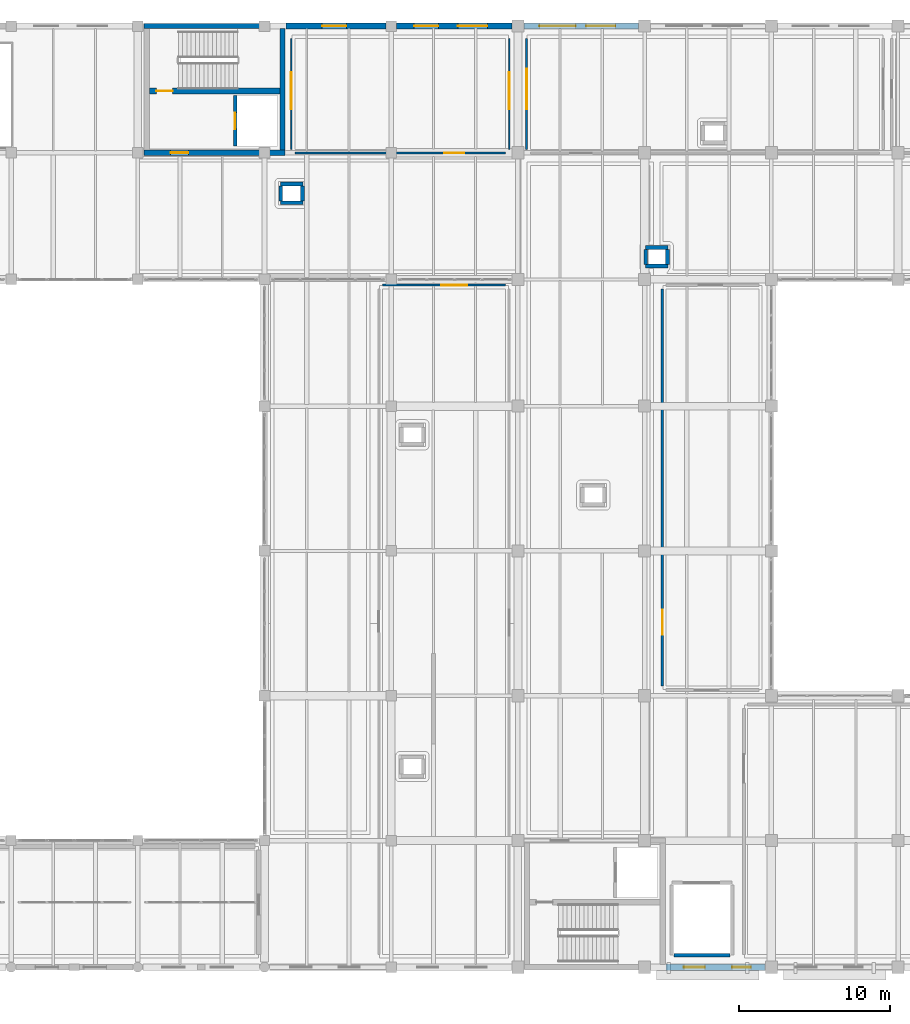
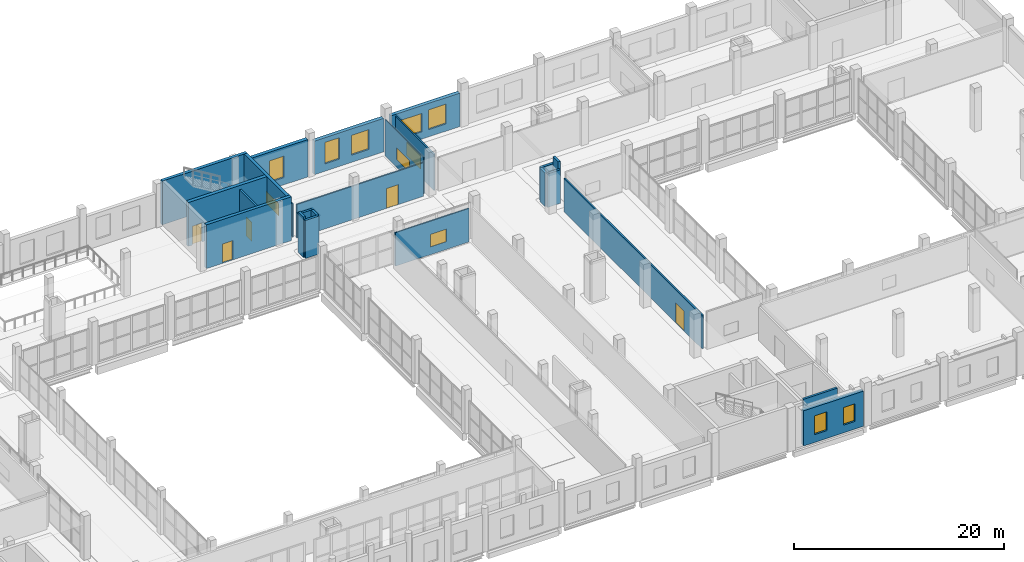
# One storey, part 59 of 73: 24 walls, 11 windows, 5 doors, 16 openings.
"""IFC4 building model written with IfcOpenShell, lengths in metres."""

from ifc_helpers import new_model, si_unit, direction, frame, frame_2d, origin, place, context, subcontext, project, spatial, rectangle, extrude, material, layer, layer_set, type_object, element, fill, save


model = new_model("IFC4")

# Units and contexts
model_context = context("Model", 3, precision=1e-05, world=origin(), true_north=direction((0.0, 1.0)))
body_context = subcontext(model_context, "Body", "Model", "MODEL_VIEW")
ifc_project = project(units=[si_unit("LENGTHUNIT", "METRE"), si_unit("AREAUNIT", "SQUARE_METRE"), si_unit("VOLUMEUNIT", "CUBIC_METRE"), si_unit("PLANEANGLEUNIT", "RADIAN"), si_unit("MASSUNIT", "GRAM", prefix="KILO")], contexts=[model_context])

# Site, building, storey
site_placement = place(None, origin())
site = spatial("IfcSite", under=ifc_project, at=site_placement, CompositionType="ELEMENT")
building_placement = place(site_placement, origin())
building = spatial("IfcBuilding", under=site, at=building_placement, Name="Zulmaris Art Gallery", CompositionType="ELEMENT")
storey_placement = place(building_placement, frame((0.0, 0.0, 10.5)))
storey = spatial("IfcBuildingStorey", under=building, at=storey_placement, Name="L02", CompositionType="ELEMENT", Elevation=10.5)

# Wall, openings, windows
ifc_material_1 = material(Name="Omani Cream Limestone Ashlar Masonry", Category="masonry")
ifc_layer_1 = layer(ifc_material_1, 0.43994140625)
ifc_layer_set_1 = layer_set([ifc_layer_1], Name="Omani Cream Limestone Ashlar Masonry")
wall_type_1 = type_object("IfcWallType", Name="ENV-WALL-EW01", PredefinedType="SOLIDWALL", material=ifc_layer_set_1)
wall_1_placement = place(storey_placement, frame((151.412109375, 13.199951171875, 0.0), z_axis=(0.0, 0.0, 1.0), x_axis=(1.0, 0.0, 0.0)))
wall_1 = element("IfcWall", 1, at=wall_1_placement, inside=storey, type_object=wall_type_1, Name="L02 V5 South Facade Bay 1", PredefinedType="SOLIDWALL", context=body_context, shape_type="SweptSolid", body=[
    extrude(rectangle(XDim=6.5859375, YDim=0.43994140625, at=frame_2d((3.29296875, 0.0))), origin(), (0.0, 0.0, 1.0), 4.10009765625),
])
opening_1_placement = place(wall_1_placement, frame((1.18798828125, 0.0, 0.89990234375)))
opening_1 = element("IfcOpeningElement", 2, at=opening_1_placement, cuts=wall_1, Name="Opening W04", PredefinedType="OPENING", context=body_context, shape_type="SweptSolid", body=[
    extrude(rectangle(XDim=1.39990234375, YDim=2.199951171875, at=frame_2d((0.699951171875, 1.10009765625))), frame((0.0, 0.22998046875, 0.0), z_axis=(0.0, -1.0, 0.0), x_axis=(1.0, 0.0, 0.0)), (0.0, 0.0, 1.0), 0.4599609375),
])
opening_2_placement = place(wall_1_placement, frame((4.387939453125, 0.0, 0.89990234375)))
opening_2 = element("IfcOpeningElement", 3, at=opening_2_placement, cuts=wall_1, Name="Opening W10", PredefinedType="OPENING", context=body_context, shape_type="SweptSolid", body=[
    extrude(rectangle(XDim=1.25, YDim=2.050048828125, at=frame_2d((0.625, 1.02490234375))), frame((0.0, 0.22998046875, 0.0), z_axis=(0.0, -1.0, 0.0), x_axis=(1.0, 0.0, 0.0)), (0.0, 0.0, 1.0), 0.4599609375),
])
ifc_material_2 = material(Name="Deep-Reveal Limestone Slot Window", Category="masonry")
window_type_1 = type_object("IfcWindowType", Name="WIN-W04", PartitioningType="SINGLE_PANEL", PredefinedType="WINDOW", material=ifc_material_2)
window_1_placement = place(opening_1_placement, origin())
window_1 = element("IfcWindow", 4, at=window_1_placement, inside=storey, type_object=window_type_1, Name="L02 exterior window W04", OverallHeight=2.199951171875, OverallWidth=1.39990234375, PartitioningType="SINGLE_PANEL", PredefinedType="WINDOW", context=body_context, shape_type="SweptSolid", body=[
    extrude(rectangle(XDim=1.39990234375, YDim=2.199951171875, at=frame_2d((0.699951171875, 1.10009765625))), frame((0.0, 0.030029296875, 0.0), z_axis=(0.0, -1.0, 0.0), x_axis=(1.0, 0.0, 0.0)), (0.0, 0.0, 1.0), 0.06005859375),
])
fill(opening_1, window_1)
ifc_material_3 = material(Name="Limestone Deep-Set Lancet Window", Category="masonry")
window_type_2 = type_object("IfcWindowType", Name="WIN-W10", PartitioningType="SINGLE_PANEL", PredefinedType="WINDOW", material=ifc_material_3)
window_2_placement = place(opening_2_placement, origin())
window_2 = element("IfcWindow", 5, at=window_2_placement, inside=storey, type_object=window_type_2, Name="L02 exterior window W10", OverallHeight=2.050048828125, OverallWidth=1.25, PartitioningType="SINGLE_PANEL", PredefinedType="WINDOW", context=body_context, shape_type="SweptSolid", body=[
    extrude(rectangle(XDim=1.25, YDim=2.050048828125, at=frame_2d((0.625, 1.02490234375))), frame((0.0, 0.030029296875, 0.0), z_axis=(0.0, -1.0, 0.0), x_axis=(1.0, 0.0, 0.0)), (0.0, 0.0, 1.0), 0.06005859375),
])
fill(opening_2, window_2)

# Wall, opening, window
ifc_material_4 = material(Name="Omani Desert Rose Limestone Cladding Wall", Category="masonry")
ifc_layer_2 = layer(ifc_material_4, 0.389892578125)
ifc_layer_set_2 = layer_set([ifc_layer_2], Name="Omani Desert Rose Limestone Cladding Wall")
wall_type_2 = type_object("IfcWallType", Name="ENV-WALL-EW02", PredefinedType="SOLIDWALL", material=ifc_layer_set_2)
wall_2_placement = place(storey_placement, frame((126.2119140625, 75.60009765625, 0.0), z_axis=(0.0, 0.0, 1.0), x_axis=(1.0, 0.0, 0.0)))
wall_2 = element("IfcWall", 6, at=wall_2_placement, inside=storey, type_object=wall_type_2, Name="L02 V4 North Alley Limestone Facade (126.0..133.2)", PredefinedType="SOLIDWALL", context=body_context, shape_type="SweptSolid", body=[
    extrude(rectangle(XDim=6.635986328125, YDim=0.389892578125, at=frame_2d((3.31787109375, 0.0))), origin(), (0.0, 0.0, 1.0), 4.35009765625),
])
opening_3_placement = place(wall_2_placement, frame((2.407958984375, 0.0, 0.85009765625)))
opening_3 = element("IfcOpeningElement", 7, at=opening_3_placement, cuts=wall_2, Name="Opening W01", PredefinedType="OPENING", context=body_context, shape_type="SweptSolid", body=[
    extrude(rectangle(XDim=1.60009765625, YDim=2.5, at=frame_2d((0.800048828125, 1.25))), frame((0.0, 0.204833984375, 0.0), z_axis=(0.0, -1.0, 0.0), x_axis=(1.0, 0.0, 0.0)), (0.0, 0.0, 1.0), 0.409912109375),
])
ifc_material_5 = material(Name="Double-Glazed Solar-Control Low-E Window", Category="glass")
window_type_3 = type_object("IfcWindowType", Name="WIN-W01", PartitioningType="SINGLE_PANEL", PredefinedType="WINDOW", material=ifc_material_5)
window_3_placement = place(opening_3_placement, origin())
window_3 = element("IfcWindow", 8, at=window_3_placement, inside=storey, type_object=window_type_3, Name="L02 exterior window W01", OverallHeight=2.5, OverallWidth=1.60009765625, PartitioningType="SINGLE_PANEL", PredefinedType="WINDOW", context=body_context, shape_type="SweptSolid", body=[
    extrude(rectangle(XDim=1.60009765625, YDim=2.5, at=frame_2d((0.800048828125, 1.25))), frame((0.0, 0.030029296875, 0.0), z_axis=(0.0, -1.0, 0.0), x_axis=(1.0, 0.0, 0.0)), (0.0, 0.0, 1.0), 0.06005859375),
])
fill(opening_3, window_3)

# Wall, openings, windows
wall_3_placement = place(storey_placement, frame((133.552001953125, 75.60009765625, 0.0), z_axis=(0.0, 0.0, 1.0), x_axis=(1.0, 0.0, 0.0)))
wall_3 = element("IfcWall", 9, at=wall_3_placement, inside=storey, type_object=wall_type_2, Name="L02 V4 North Alley Limestone Facade (133.2..141.6)", PredefinedType="SOLIDWALL", context=body_context, shape_type="SweptSolid", body=[
    extrude(rectangle(XDim=7.64599609375, YDim=0.389892578125, at=frame_2d((3.822998046875, 0.0))), origin(), (0.0, 0.0, 1.0), 3.89990234375),
])
opening_4_placement = place(wall_3_placement, frame((1.16796875, 0.0, 0.85009765625)))
opening_4 = element("IfcOpeningElement", 10, at=opening_4_placement, cuts=wall_3, Name="Opening W01", PredefinedType="OPENING", context=body_context, shape_type="SweptSolid", body=[
    extrude(rectangle(XDim=1.60009765625, YDim=2.5, at=frame_2d((0.800048828125, 1.25))), frame((0.0, 0.204833984375, 0.0), z_axis=(0.0, -1.0, 0.0), x_axis=(1.0, 0.0, 0.0)), (0.0, 0.0, 1.0), 0.409912109375),
])
opening_5_placement = place(wall_3_placement, frame((4.068115234375, 0.0, 0.85009765625)))
opening_5 = element("IfcOpeningElement", 11, at=opening_5_placement, cuts=wall_3, Name="Opening W08", PredefinedType="OPENING", context=body_context, shape_type="SweptSolid", body=[
    extrude(rectangle(XDim=1.949951171875, YDim=2.300048828125, at=frame_2d((0.97509765625, 1.14990234375))), frame((0.0, 0.204833984375, 0.0), z_axis=(0.0, -1.0, 0.0), x_axis=(1.0, 0.0, 0.0)), (0.0, 0.0, 1.0), 0.409912109375),
])
window_4_placement = place(opening_4_placement, origin())
window_4 = element("IfcWindow", 12, at=window_4_placement, inside=storey, type_object=window_type_3, Name="L02 exterior window W01", OverallHeight=2.5, OverallWidth=1.60009765625, PartitioningType="SINGLE_PANEL", PredefinedType="WINDOW", context=body_context, shape_type="SweptSolid", body=[
    extrude(rectangle(XDim=1.60009765625, YDim=2.5, at=frame_2d((0.800048828125, 1.25))), frame((0.0, 0.030029296875, 0.0), z_axis=(0.0, -1.0, 0.0), x_axis=(1.0, 0.0, 0.0)), (0.0, 0.0, 1.0), 0.06005859375),
])
fill(opening_4, window_4)
ifc_material_6 = material(Name="Curatorial North Studio Window", Category="glass")
window_type_4 = type_object("IfcWindowType", Name="WIN-W08", PartitioningType="SINGLE_PANEL", PredefinedType="WINDOW", material=ifc_material_6)
window_5_placement = place(opening_5_placement, origin())
window_5 = element("IfcWindow", 13, at=window_5_placement, inside=storey, type_object=window_type_4, Name="L02 exterior window W08", OverallHeight=2.300048828125, OverallWidth=1.949951171875, PartitioningType="SINGLE_PANEL", PredefinedType="WINDOW", context=body_context, shape_type="SweptSolid", body=[
    extrude(rectangle(XDim=1.949951171875, YDim=2.300048828125, at=frame_2d((0.97509765625, 1.14990234375))), frame((0.0, 0.030029296875, 0.0), z_axis=(0.0, -1.0, 0.0), x_axis=(1.0, 0.0, 0.0)), (0.0, 0.0, 1.0), 0.06005859375),
])
fill(opening_5, window_5)

wall_4_placement = place(storey_placement, frame((142.001953125, 75.60009765625, 0.0), z_axis=(0.0, 0.0, 1.0), x_axis=(1.0, 0.0, 0.0)))
wall_4 = element("IfcWall", 14, at=wall_4_placement, inside=storey, type_object=wall_type_2, Name="L02 V5 North Studio Daylight Facade Bay 1", PredefinedType="SOLIDWALL", context=body_context, shape_type="SweptSolid", body=[
    extrude(rectangle(XDim=7.595947265625, YDim=0.389892578125, at=frame_2d((3.7978515625, 0.0))), origin(), (0.0, 0.0, 1.0), 3.89990234375),
])
opening_6_placement = place(wall_4_placement, frame((1.01806640625, 0.0, 0.85009765625)))
opening_6 = element("IfcOpeningElement", 15, at=opening_6_placement, cuts=wall_4, Name="Opening W05", PredefinedType="OPENING", context=body_context, shape_type="SweptSolid", body=[
    extrude(rectangle(XDim=2.39990234375, YDim=2.14990234375, at=frame_2d((1.199951171875, 1.074951171875))), frame((0.0, 0.204833984375, 0.0), z_axis=(0.0, -1.0, 0.0), x_axis=(1.0, 0.0, 0.0)), (0.0, 0.0, 1.0), 0.409912109375),
])
opening_7_placement = place(wall_4_placement, frame((4.117919921875, 0.0, 0.85009765625)))
opening_7 = element("IfcOpeningElement", 16, at=opening_7_placement, cuts=wall_4, Name="Opening W08", PredefinedType="OPENING", context=body_context, shape_type="SweptSolid", body=[
    extrude(rectangle(XDim=1.949951171875, YDim=2.300048828125, at=frame_2d((0.97509765625, 1.14990234375))), frame((0.0, 0.204833984375, 0.0), z_axis=(0.0, -1.0, 0.0), x_axis=(1.0, 0.0, 0.0)), (0.0, 0.0, 1.0), 0.409912109375),
])
ifc_material_7 = material(Name="North-Facing Conservation Daylight Window", Category="glass")
window_type_5 = type_object("IfcWindowType", Name="WIN-W05", PartitioningType="SINGLE_PANEL", PredefinedType="WINDOW", material=ifc_material_7)
window_6_placement = place(opening_6_placement, origin())
window_6 = element("IfcWindow", 17, at=window_6_placement, inside=storey, type_object=window_type_5, Name="L02 exterior window W05", OverallHeight=2.14990234375, OverallWidth=2.39990234375, PartitioningType="SINGLE_PANEL", PredefinedType="WINDOW", context=body_context, shape_type="SweptSolid", body=[
    extrude(rectangle(XDim=2.39990234375, YDim=2.14990234375, at=frame_2d((1.199951171875, 1.074951171875))), frame((0.0, 0.030029296875, 0.0), z_axis=(0.0, -1.0, 0.0), x_axis=(1.0, 0.0, 0.0)), (0.0, 0.0, 1.0), 0.06005859375),
])
fill(opening_6, window_6)
window_7_placement = place(opening_7_placement, origin())
window_7 = element("IfcWindow", 18, at=window_7_placement, inside=storey, type_object=window_type_4, Name="L02 exterior window W08", OverallHeight=2.300048828125, OverallWidth=1.949951171875, PartitioningType="SINGLE_PANEL", PredefinedType="WINDOW", context=body_context, shape_type="SweptSolid", body=[
    extrude(rectangle(XDim=1.949951171875, YDim=2.300048828125, at=frame_2d((0.97509765625, 1.14990234375))), frame((0.0, 0.030029296875, 0.0), z_axis=(0.0, -1.0, 0.0), x_axis=(1.0, 0.0, 0.0)), (0.0, 0.0, 1.0), 0.06005859375),
])
fill(opening_7, window_7)

# Wall, opening, window
ifc_material_8 = material(Name="Acoustic Office Gypsum Partition", Category="gypsum")
ifc_layer_3 = layer(ifc_material_8, 0.10009765625)
ifc_layer_set_3 = layer_set([ifc_layer_3], Name="Acoustic Office Gypsum Partition")
wall_type_3 = type_object("IfcWallType", Name="IWALL-PW01", PredefinedType="PARTITIONING", material=ifc_layer_set_3)
wall_5_placement = place(storey_placement, frame((126.580078125, 67.429931640625, 0.0), z_axis=(0.0, 0.0, 1.0), x_axis=(0.0, 1.0, 0.0)))
wall_5 = element("IfcWall", 19, at=wall_5_placement, inside=storey, type_object=wall_type_3, Name="Geometric Abstraction Gallery W partition", PredefinedType="PARTITIONING", context=body_context, shape_type="SweptSolid", body=[
    extrude(rectangle(XDim=7.340087890625, YDim=0.10009765625, at=frame_2d((3.669921875, 0.0))), origin(), (0.0, 0.0, 1.0), 3.89990234375),
])
opening_8_placement = place(wall_5_placement, frame((2.64990234375, 0.0, 0.89990234375)))
opening_8 = element("IfcOpeningElement", 20, at=opening_8_placement, cuts=wall_5, Name="Opening IW05", PredefinedType="OPENING", context=body_context, shape_type="SweptSolid", body=[
    extrude(rectangle(XDim=2.4599609375, YDim=1.3798828125, at=frame_2d((1.22998046875, 0.68994140625))), frame((0.0, 0.06005859375, 0.0), z_axis=(0.0, -1.0, 0.0), x_axis=(1.0, 0.0, 0.0)), (0.0, 0.0, 1.0), 0.1201171875),
])
ifc_material_9 = material(Name="Workshop Safety Observation Window", Category="glass")
window_type_6 = type_object("IfcWindowType", Name="IWIN-IW05", PartitioningType="SINGLE_PANEL", PredefinedType="WINDOW", material=ifc_material_9)
window_8_placement = place(opening_8_placement, origin())
window_8 = element("IfcWindow", 21, at=window_8_placement, inside=storey, type_object=window_type_6, Name="L02 interior observation window IW05", OverallHeight=1.3798828125, OverallWidth=2.4599609375, PartitioningType="SINGLE_PANEL", PredefinedType="WINDOW", context=body_context, shape_type="SweptSolid", body=[
    extrude(rectangle(XDim=2.4599609375, YDim=1.3798828125, at=frame_2d((1.22998046875, 0.68994140625))), frame((0.0, 0.030029296875, 0.0), z_axis=(0.0, -1.0, 0.0), x_axis=(1.0, 0.0, 0.0)), (0.0, 0.0, 1.0), 0.06005859375),
])
fill(opening_8, window_8)

wall_6_placement = place(storey_placement, frame((141.02001953125, 67.429931640625, 0.0), z_axis=(0.0, 0.0, 1.0), x_axis=(0.0, 1.0, 0.0)))
wall_6 = element("IfcWall", 22, at=wall_6_placement, inside=storey, type_object=wall_type_3, Name="Geometric Abstraction Gallery E partition", PredefinedType="PARTITIONING", context=body_context, shape_type="SweptSolid", body=[
    extrude(rectangle(XDim=7.340087890625, YDim=0.10009765625, at=frame_2d((3.669921875, 0.0))), origin(), (0.0, 0.0, 1.0), 4.22998046875),
])
opening_9_placement = place(wall_6_placement, frame((2.64990234375, 0.0, 0.89990234375)))
opening_9 = element("IfcOpeningElement", 23, at=opening_9_placement, cuts=wall_6, Name="Opening IW05", PredefinedType="OPENING", context=body_context, shape_type="SweptSolid", body=[
    extrude(rectangle(XDim=2.4599609375, YDim=1.3798828125, at=frame_2d((1.22998046875, 0.68994140625))), frame((0.0, 0.06005859375, 0.0), z_axis=(0.0, -1.0, 0.0), x_axis=(1.0, 0.0, 0.0)), (0.0, 0.0, 1.0), 0.1201171875),
])
window_9_placement = place(opening_9_placement, origin())
window_9 = element("IfcWindow", 24, at=window_9_placement, inside=storey, type_object=window_type_6, Name="L02 interior observation window IW05", OverallHeight=1.3798828125, OverallWidth=2.4599609375, PartitioningType="SINGLE_PANEL", PredefinedType="WINDOW", context=body_context, shape_type="SweptSolid", body=[
    extrude(rectangle(XDim=2.4599609375, YDim=1.3798828125, at=frame_2d((1.22998046875, 0.68994140625))), frame((0.0, 0.030029296875, 0.0), z_axis=(0.0, -1.0, 0.0), x_axis=(1.0, 0.0, 0.0)), (0.0, 0.0, 1.0), 0.06005859375),
])
fill(opening_9, window_9)

ifc_material_10 = material(Name="Light Gallery Backing Partition", Category="gypsum")
ifc_layer_4 = layer(ifc_material_10, 0.1298828125)
ifc_layer_set_4 = layer_set([ifc_layer_4], Name="Light Gallery Backing Partition")
wall_type_4 = type_object("IfcWallType", Name="IWALL-PW03", PredefinedType="PARTITIONING", material=ifc_layer_set_4)
wall_7_placement = place(storey_placement, frame((132.6298828125, 58.419921875, 0.0), z_axis=(0.0, 0.0, 1.0), x_axis=(1.0, 0.0, 0.0)))
wall_7 = element("IfcWall", 25, at=wall_7_placement, inside=storey, type_object=wall_type_4, Name="Architectural Models & Drawings Gallery N partition", PredefinedType="PARTITIONING", context=body_context, shape_type="SweptSolid", body=[
    extrude(rectangle(XDim=8.14013671875, YDim=0.1298828125, at=frame_2d((4.070068359375, 0.0))), origin(), (0.0, 0.0, 1.0), 3.89990234375),
])
opening_10_placement = place(wall_7_placement, frame((3.89990234375, 0.0, 0.89990234375)))
opening_10 = element("IfcOpeningElement", 26, at=opening_10_placement, cuts=wall_7, Name="Opening IW06", PredefinedType="OPENING", context=body_context, shape_type="SweptSolid", body=[
    extrude(rectangle(XDim=1.719970703125, YDim=1.4599609375, at=frame_2d((0.85986328125, 0.72998046875))), frame((0.0, 0.074951171875, 0.0), z_axis=(0.0, -1.0, 0.0), x_axis=(1.0, 0.0, 0.0)), (0.0, 0.0, 1.0), 0.14990234375),
])
ifc_material_11 = material(Name="Library Reading Room Internal Glazing", Category="glass")
window_type_7 = type_object("IfcWindowType", Name="IWIN-IW06", PartitioningType="SINGLE_PANEL", PredefinedType="WINDOW", material=ifc_material_11)
window_10_placement = place(opening_10_placement, origin())
window_10 = element("IfcWindow", 27, at=window_10_placement, inside=storey, type_object=window_type_7, Name="L02 interior observation window IW06", OverallHeight=1.4599609375, OverallWidth=1.719970703125, PartitioningType="SINGLE_PANEL", PredefinedType="WINDOW", context=body_context, shape_type="SweptSolid", body=[
    extrude(rectangle(XDim=1.719970703125, YDim=1.4599609375, at=frame_2d((0.85986328125, 0.72998046875))), frame((0.0, 0.030029296875, 0.0), z_axis=(0.0, -1.0, 0.0), x_axis=(1.0, 0.0, 0.0)), (0.0, 0.0, 1.0), 0.06005859375),
])
fill(opening_10, window_10)

# Wall, opening, door
ifc_material_12 = material(Name="Plywood-Backed Gallery Hanging Partition", Category="wood")
ifc_layer_5 = layer(ifc_material_12, 0.14501953125)
ifc_layer_set_5 = layer_set([ifc_layer_5], Name="Plywood-Backed Gallery Hanging Partition")
wall_type_5 = type_object("IfcWallType", Name="IWALL-PW04", PredefinedType="PARTITIONING", material=ifc_layer_set_5)
wall_8_placement = place(storey_placement, frame((126.830078125, 67.179931640625, 0.0), z_axis=(0.0, 0.0, 1.0), x_axis=(1.0, 0.0, 0.0)))
wall_8 = element("IfcWall", 28, at=wall_8_placement, inside=storey, type_object=wall_type_5, Name="Geometric Abstraction Gallery S partition", PredefinedType="PARTITIONING", context=body_context, shape_type="SweptSolid", body=[
    extrude(rectangle(XDim=13.93994140625, YDim=0.14501953125, at=frame_2d((6.969970703125, 0.0))), origin(), (0.0, 0.0, 1.0), 3.89990234375),
])
opening_11_placement = place(wall_8_placement, frame((9.89990234375, 0.0, 0.0)))
opening_11 = element("IfcOpeningElement", 29, at=opening_11_placement, cuts=wall_8, Name="Opening D10", PredefinedType="OPENING", context=body_context, shape_type="SweptSolid", body=[
    extrude(rectangle(XDim=1.300048828125, YDim=2.320068359375, at=frame_2d((0.64990234375, 1.16015625))), frame((0.0, 0.08251953125, 0.0), z_axis=(0.0, -1.0, 0.0), x_axis=(1.0, 0.0, 0.0)), (0.0, 0.0, 1.0), 0.1650390625),
])
ifc_material_13 = material(Name="Laboratory Fume-Sealed Door", Category="steel")
door_type_1 = type_object("IfcDoorType", Name="IDOOR-D10", OperationType="NOTDEFINED", PredefinedType="DOOR", material=ifc_material_13)
door_1_placement = place(opening_11_placement, origin())
door_1 = element("IfcDoor", 30, at=door_1_placement, inside=storey, type_object=door_type_1, Name="Geometric Abstraction Gallery Door", OperationType="SINGLE_SWING_LEFT", OverallHeight=2.320068359375, OverallWidth=1.300048828125, PredefinedType="DOOR", context=body_context, shape_type="SweptSolid", body=[
    extrude(rectangle(XDim=1.300048828125, YDim=2.320068359375, at=frame_2d((0.64990234375, 1.16015625))), frame((0.0, 0.02490234375, 0.0), z_axis=(0.0, -1.0, 0.0), x_axis=(1.0, 0.0, 0.0)), (0.0, 0.0, 1.0), 0.050048828125),
])
fill(opening_11, door_1)

# Wall, opening, window
wall_9_placement = place(storey_placement, frame((142.179931640625, 67.429931640625, 0.0), z_axis=(0.0, 0.0, 1.0), x_axis=(0.0, 1.0, 0.0)))
wall_9 = element("IfcWall", 31, at=wall_9_placement, inside=storey, type_object=wall_type_5, Name="Painting Conservation Studio W partition", PredefinedType="PARTITIONING", context=body_context, shape_type="SweptSolid", body=[
    extrude(rectangle(XDim=7.340087890625, YDim=0.14501953125, at=frame_2d((3.669921875, 0.0))), origin(), (0.0, 0.0, 1.0), 4.2099609375),
])
opening_12_placement = place(wall_9_placement, frame((2.64990234375, 0.0, 0.89990234375)))
opening_12 = element("IfcOpeningElement", 32, at=opening_12_placement, cuts=wall_9, Name="Opening IW07", PredefinedType="OPENING", context=body_context, shape_type="SweptSolid", body=[
    extrude(rectangle(XDim=2.679931640625, YDim=1.52001953125, at=frame_2d((1.33984375, 0.760009765625))), frame((0.0, 0.08251953125, 0.0), z_axis=(0.0, -1.0, 0.0), x_axis=(1.0, 0.0, 0.0)), (0.0, 0.0, 1.0), 0.1650390625),
])
ifc_material_14 = material(Name="Artists Salon Overlook Glazing", Category="glass")
window_type_8 = type_object("IfcWindowType", Name="IWIN-IW07", PartitioningType="SINGLE_PANEL", PredefinedType="WINDOW", material=ifc_material_14)
window_11_placement = place(opening_12_placement, origin())
window_11 = element("IfcWindow", 33, at=window_11_placement, inside=storey, type_object=window_type_8, Name="L02 interior observation window IW07", OverallHeight=1.52001953125, OverallWidth=2.679931640625, PartitioningType="SINGLE_PANEL", PredefinedType="WINDOW", context=body_context, shape_type="SweptSolid", body=[
    extrude(rectangle(XDim=2.679931640625, YDim=1.52001953125, at=frame_2d((1.33984375, 0.760009765625))), frame((0.0, 0.030029296875, 0.0), z_axis=(0.0, -1.0, 0.0), x_axis=(1.0, 0.0, 0.0)), (0.0, 0.0, 1.0), 0.06005859375),
])
fill(opening_12, window_11)

# Wall, opening, door
ifc_material_15 = material(Name="Acoustic Studio Separation Partition", Category="gypsum")
ifc_layer_6 = layer(ifc_material_15, 0.175048828125)
ifc_layer_set_6 = layer_set([ifc_layer_6], Name="Acoustic Studio Separation Partition")
wall_type_6 = type_object("IfcWallType", Name="IWALL-PW06", PredefinedType="PARTITIONING", material=ifc_layer_set_6)
wall_10_placement = place(storey_placement, frame((151.179931640625, 31.830078125, 0.0), z_axis=(0.0, 0.0, 1.0), x_axis=(0.0, 1.0, 0.0)))
wall_10 = element("IfcWall", 34, at=wall_10_placement, inside=storey, type_object=wall_type_6, Name="Conservation Framing & Gilding Studio W partition", PredefinedType="PARTITIONING", context=body_context, shape_type="SweptSolid", body=[
    extrude(rectangle(XDim=26.33984375, YDim=0.175048828125, at=frame_2d((13.169921875, 0.0))), origin(), (0.0, 0.0, 1.0), 3.89990234375),
])
opening_13_placement = place(wall_10_placement, frame((3.39990234375, 0.0, 0.0)))
opening_13 = element("IfcOpeningElement", 35, at=opening_13_placement, cuts=wall_10, Name="Opening D14", PredefinedType="OPENING", context=body_context, shape_type="SweptSolid", body=[
    extrude(rectangle(XDim=1.679931640625, YDim=2.320068359375, at=frame_2d((0.83984375, 1.16015625))), frame((0.0, 0.097412109375, 0.0), z_axis=(0.0, -1.0, 0.0), x_axis=(1.0, 0.0, 0.0)), (0.0, 0.0, 1.0), 0.195068359375),
])
ifc_material_16 = material(Name="Plant Room Double Access Door", Category="steel")
door_type_2 = type_object("IfcDoorType", Name="IDOOR-D14", OperationType="DOUBLE_SWING_RIGHT", PredefinedType="DOOR", material=ifc_material_16)
door_2_placement = place(opening_13_placement, origin())
door_2 = element("IfcDoor", 36, at=door_2_placement, inside=storey, type_object=door_type_2, Name="Conservation Framing & Gilding Studio Door", OperationType="DOUBLE_SWING_RIGHT", OverallHeight=2.320068359375, OverallWidth=1.679931640625, PredefinedType="DOOR", context=body_context, shape_type="SweptSolid", body=[
    extrude(rectangle(XDim=1.679931640625, YDim=2.320068359375, at=frame_2d((0.83984375, 1.16015625))), frame((0.0, 0.02490234375, 0.0), z_axis=(0.0, -1.0, 0.0), x_axis=(1.0, 0.0, 0.0)), (0.0, 0.0, 1.0), 0.050048828125),
])
fill(opening_13, door_2)

ifc_material_17 = material(Name="Core Lobby Fire-Resisting Masonry Wall", Category="masonry")
ifc_layer_7 = layer(ifc_material_17, 0.235107421875)
ifc_layer_set_7 = layer_set([ifc_layer_7], Name="Core Lobby Fire-Resisting Masonry Wall")
wall_type_7 = type_object("IfcWallType", Name="IWALL-PW10", PredefinedType="PARTITIONING", material=ifc_layer_set_7)
wall_11_placement = place(storey_placement, frame((122.85009765625, 67.64990234375, 0.0), z_axis=(0.0, 0.0, 1.0), x_axis=(0.0, 1.0, 0.0)))
wall_11 = element("IfcWall", 37, at=wall_11_placement, inside=storey, type_object=wall_type_7, Name="LF-P3 L02 lift shaft front wall", PredefinedType="PARTITIONING", context=body_context, shape_type="SweptSolid", body=[
    extrude(rectangle(XDim=3.330078125, YDim=0.235107421875, at=frame_2d((1.6650390625, 0.0))), origin(), (0.0, 0.0, 1.0), 4.719970703125),
])
opening_14_placement = place(wall_11_placement, frame((1.114990234375, 0.0, 0.0)))
opening_14 = element("IfcOpeningElement", 38, at=opening_14_placement, cuts=wall_11, Name="Opening LD01", PredefinedType="OPENING", context=body_context, shape_type="SweptSolid", body=[
    extrude(rectangle(XDim=1.10009765625, YDim=2.199951171875, at=frame_2d((0.550048828125, 1.10009765625))), frame((0.0, 0.12744140625, 0.0), z_axis=(0.0, -1.0, 0.0), x_axis=(1.0, 0.0, 0.0)), (0.0, 0.0, 1.0), 0.255126953125),
])
ifc_material_18 = material(Name="Passenger Lift Sliding Landing Door", Category="steel")
door_type_3 = type_object("IfcDoorType", Name="IDOOR-LD01", OperationType="SLIDING_TO_LEFT", PredefinedType="DOOR", material=ifc_material_18)
door_3_placement = place(opening_14_placement, origin())
door_3 = element("IfcDoor", 39, at=door_3_placement, inside=storey, type_object=door_type_3, Name="LF-P3 L02 Lift Landing Sliding Door", OperationType="SLIDING_TO_LEFT", OverallHeight=2.199951171875, OverallWidth=1.10009765625, PredefinedType="DOOR", context=body_context, shape_type="SweptSolid", body=[
    extrude(rectangle(XDim=1.10009765625, YDim=2.199951171875, at=frame_2d((0.550048828125, 1.10009765625))), frame((0.0, 0.02490234375, 0.0), z_axis=(0.0, -1.0, 0.0), x_axis=(1.0, 0.0, 0.0)), (0.0, 0.0, 1.0), 0.050048828125),
])
fill(opening_14, door_3)

# Walls
wall_12_placement = place(storey_placement, frame((151.93994140625, 14.0, 0.0), z_axis=(0.0, 0.0, 1.0), x_axis=(1.0, 0.0, 0.0)))
element("IfcWall", 40, at=wall_12_placement, inside=storey, type_object=wall_type_7, Name="Goods Lift L02 south shaft wall", PredefinedType="PARTITIONING", context=body_context, shape_type="SweptSolid", body=[
    extrude(rectangle(XDim=3.719970703125, YDim=0.235107421875, at=frame_2d((1.85986328125, 0.0))), origin(), (0.0, 0.0, 1.0), 4.719970703125),
])
ifc_material_19 = material(Name="MEP Riser & Smoke Shaft Enclosure Wall", Category="masonry")
ifc_layer_8 = layer(ifc_material_19, 0.2548828125)
ifc_layer_set_8 = layer_set([ifc_layer_8], Name="MEP Riser & Smoke Shaft Enclosure Wall")
wall_type_8 = type_object("IfcWallType", Name="IWALL-PW11", PredefinedType="PARTITIONING", material=ifc_layer_set_8)
for number, where, z_axis, x_axis, name in (
    (41, (125.860107421875, 65.1201171875, 0.0), (0.0, 0.0, 1.0), (1.0, 0.0, 0.0), "L02 MEP Riser 10 N wall"),
    (42, (125.860107421875, 63.8798828125, 0.0), (0.0, 0.0, 1.0), (1.0, 0.0, 0.0), "L02 MEP Riser 10 S wall"),
):
    element("IfcWall", number, at=place(storey_placement, frame(where, z_axis=z_axis, x_axis=x_axis)), inside=storey, type_object=wall_type_8, Name=name, PredefinedType="PARTITIONING", context=body_context, shape_type="SweptSolid", body=[
        extrude(rectangle(XDim=1.47998046875, YDim=0.2548828125, at=frame_2d((0.739990234375, 0.0))), origin(), (0.0, 0.0, 1.0), 4.429931640625),
    ])
wall_13_placement = place(storey_placement, frame((125.8798828125, 64.0, 0.0), z_axis=(0.0, 0.0, 1.0), x_axis=(0.0, 1.0, 0.0)))
element("IfcWall", 43, at=wall_13_placement, inside=storey, type_object=wall_type_8, Name="L02 MEP Riser 10 W wall", PredefinedType="PARTITIONING", context=body_context, shape_type="SweptSolid", body=[
    extrude(rectangle(XDim=1.0, YDim=0.2548828125, at=frame_2d((0.5, 0.0))), origin(), (0.0, 0.0, 1.0), 4.719970703125),
])
wall_14_placement = place(storey_placement, frame((127.320068359375, 64.0, 0.0), z_axis=(0.0, 0.0, 1.0), x_axis=(0.0, 1.0, 0.0)))
element("IfcWall", 44, at=wall_14_placement, inside=storey, type_object=wall_type_8, Name="L02 MEP Riser 10 E wall", PredefinedType="PARTITIONING", context=body_context, shape_type="SweptSolid", body=[
    extrude(rectangle(XDim=1.0, YDim=0.2548828125, at=frame_2d((0.5, 0.0))), origin(), (0.0, 0.0, 1.0), 4.429931640625),
])
for number, where, z_axis, x_axis, name in (
    (45, (150.06005859375, 60.919921875, 0.0), (0.0, 0.0, 1.0), (1.0, 0.0, 0.0), "L02 MEP Riser 13 N wall"),
    (46, (150.06005859375, 59.679931640625, 0.0), (0.0, 0.0, 1.0), (1.0, 0.0, 0.0), "L02 MEP Riser 13 S wall"),
):
    element("IfcWall", number, at=place(storey_placement, frame(where, z_axis=z_axis, x_axis=x_axis)), inside=storey, type_object=wall_type_8, Name=name, PredefinedType="PARTITIONING", context=body_context, shape_type="SweptSolid", body=[
        extrude(rectangle(XDim=1.47998046875, YDim=0.2548828125, at=frame_2d((0.739990234375, 0.0))), origin(), (0.0, 0.0, 1.0), 3.89990234375),
    ])
wall_15_placement = place(storey_placement, frame((150.080078125, 59.800048828125, 0.0), z_axis=(0.0, 0.0, 1.0), x_axis=(0.0, 1.0, 0.0)))
element("IfcWall", 47, at=wall_15_placement, inside=storey, type_object=wall_type_8, Name="L02 MEP Riser 13 W wall", PredefinedType="PARTITIONING", context=body_context, shape_type="SweptSolid", body=[
    extrude(rectangle(XDim=1.0, YDim=0.2548828125, at=frame_2d((0.5, 0.0))), origin(), (0.0, 0.0, 1.0), 3.89990234375),
])
wall_16_placement = place(storey_placement, frame((151.52001953125, 59.800048828125, 0.0), z_axis=(0.0, 0.0, 1.0), x_axis=(0.0, 1.0, 0.0)))
element("IfcWall", 48, at=wall_16_placement, inside=storey, type_object=wall_type_8, Name="L02 MEP Riser 13 E wall", PredefinedType="PARTITIONING", context=body_context, shape_type="SweptSolid", body=[
    extrude(rectangle(XDim=1.0, YDim=0.2548828125, at=frame_2d((0.5, 0.0))), origin(), (0.0, 0.0, 1.0), 4.719970703125),
])

# Wall, opening, door
ifc_material_20 = material(Name="Concrete C50/60", Category="concrete")
ifc_layer_9 = layer(ifc_material_20, 0.35009765625)
ifc_layer_set_9 = layer_set([ifc_layer_9], Name="Concrete C50/60")
wall_type_9 = type_object("IfcWallType", Name="STR-WALL-SW01", PredefinedType="SHEAR", material=ifc_layer_set_9)
wall_17_placement = place(storey_placement, frame((116.824951171875, 67.199951171875, 0.0), z_axis=(0.0, 0.0, 1.0), x_axis=(1.0, 0.0, 0.0)))
wall_17 = element("IfcWall", 49, at=wall_17_placement, inside=storey, type_object=wall_type_9, Name="Core C5 L02 S shear wall", PredefinedType="SHEAR", context=body_context, shape_type="SweptSolid", body=[
    extrude(rectangle(XDim=9.35009765625, YDim=0.35009765625, at=frame_2d((4.675048828125, 0.0))), origin(), (0.0, 0.0, 1.0), 5.10009765625),
])
opening_15_placement = place(wall_17_placement, frame((1.75, 0.0, 0.0)))
opening_15 = element("IfcOpeningElement", 50, at=opening_15_placement, cuts=wall_17, Name="Opening D08", PredefinedType="OPENING", context=body_context, shape_type="SweptSolid", body=[
    extrude(rectangle(XDim=1.179931640625, YDim=2.239990234375, at=frame_2d((0.58984375, 1.1201171875))), frame((0.0, 0.18505859375, 0.0), z_axis=(0.0, -1.0, 0.0), x_axis=(1.0, 0.0, 0.0)), (0.0, 0.0, 1.0), 0.3701171875),
])
ifc_material_21 = material(Name="Firefighting Lobby Compartment Door", Category="steel")
door_type_4 = type_object("IfcDoorType", Name="IDOOR-D08", OperationType="NOTDEFINED", PredefinedType="DOOR", material=ifc_material_21)
door_4_placement = place(opening_15_placement, origin())
door_4 = element("IfcDoor", 51, at=door_4_placement, inside=storey, type_object=door_type_4, Name="Core C5 L02 Lobby Compartment Door", OperationType="SINGLE_SWING_RIGHT", OverallHeight=2.239990234375, OverallWidth=1.179931640625, PredefinedType="DOOR", context=body_context, shape_type="SweptSolid", body=[
    extrude(rectangle(XDim=1.179931640625, YDim=2.239990234375, at=frame_2d((0.58984375, 1.1201171875))), frame((0.0, 0.02490234375, 0.0), z_axis=(0.0, -1.0, 0.0), x_axis=(1.0, 0.0, 0.0)), (0.0, 0.0, 1.0), 0.050048828125),
])
fill(opening_15, door_4)

# Walls
wall_18_placement = place(storey_placement, frame((116.824951171875, 75.60009765625, 0.0), z_axis=(0.0, 0.0, 1.0), x_axis=(1.0, 0.0, 0.0)))
element("IfcWall", 52, at=wall_18_placement, inside=storey, type_object=wall_type_9, Name="Core C5 L02 N shear wall", PredefinedType="SHEAR", context=body_context, shape_type="SweptSolid", body=[
    extrude(rectangle(XDim=9.35009765625, YDim=0.35009765625, at=frame_2d((4.675048828125, 0.0))), origin(), (0.0, 0.0, 1.0), 5.10009765625),
])
wall_19_placement = place(storey_placement, frame((126.0, 67.375, 0.0), z_axis=(0.0, 0.0, 1.0), x_axis=(0.0, 1.0, 0.0)))
element("IfcWall", 53, at=wall_19_placement, inside=storey, type_object=wall_type_9, Name="Core C5 L02 E shear wall", PredefinedType="SHEAR", context=body_context, shape_type="SweptSolid", body=[
    extrude(rectangle(XDim=8.050048828125, YDim=0.35009765625, at=frame_2d((4.02490234375, 0.0))), origin(), (0.0, 0.0, 1.0), 5.10009765625),
])

# Wall, opening, door
ifc_layer_10 = layer(ifc_material_20, 0.3798828125)
ifc_layer_set_10 = layer_set([ifc_layer_10], Name="Concrete C50/60")
wall_type_10 = type_object("IfcWallType", Name="STR-WALL-SW02", PredefinedType="SHEAR", material=ifc_layer_set_10)
wall_20_placement = place(storey_placement, frame((117.175048828125, 71.2900390625, 0.0), z_axis=(0.0, 0.0, 1.0), x_axis=(1.0, 0.0, 0.0)))
wall_20 = element("IfcWall", 54, at=wall_20_placement, inside=storey, type_object=wall_type_10, Name="Core C5 L02 DIV shear wall", PredefinedType="SHEAR", context=body_context, shape_type="SweptSolid", body=[
    extrude(rectangle(XDim=8.64990234375, YDim=0.3798828125, at=frame_2d((4.324951171875, 0.0))), origin(), (0.0, 0.0, 1.0), 5.10009765625),
])
opening_16_placement = place(wall_20_placement, frame((0.449951171875, 0.0, 0.0)))
opening_16 = element("IfcOpeningElement", 55, at=opening_16_placement, cuts=wall_20, Name="Opening D07", PredefinedType="OPENING", context=body_context, shape_type="SweptSolid", body=[
    extrude(rectangle(XDim=1.080078125, YDim=2.179931640625, at=frame_2d((0.5400390625, 1.08984375))), frame((0.0, 0.199951171875, 0.0), z_axis=(0.0, -1.0, 0.0), x_axis=(1.0, 0.0, 0.0)), (0.0, 0.0, 1.0), 0.39990234375),
])
ifc_material_22 = material(Name="Stairwell Fire Escape Door", Category="steel")
door_type_5 = type_object("IfcDoorType", Name="IDOOR-D07", OperationType="NOTDEFINED", PredefinedType="DOOR", material=ifc_material_22)
door_5_placement = place(opening_16_placement, origin())
door_5 = element("IfcDoor", 56, at=door_5_placement, inside=storey, type_object=door_type_5, Name="Core C5 L02 Stair ST5 Fire Door", OperationType="SINGLE_SWING_LEFT", OverallHeight=2.179931640625, OverallWidth=1.080078125, PredefinedType="DOOR", context=body_context, shape_type="SweptSolid", body=[
    extrude(rectangle(XDim=1.080078125, YDim=2.179931640625, at=frame_2d((0.5400390625, 1.08984375))), frame((0.0, 0.02490234375, 0.0), z_axis=(0.0, -1.0, 0.0), x_axis=(1.0, 0.0, 0.0)), (0.0, 0.0, 1.0), 0.050048828125),
])
fill(opening_16, door_5)

save(model, "model.ifc")
